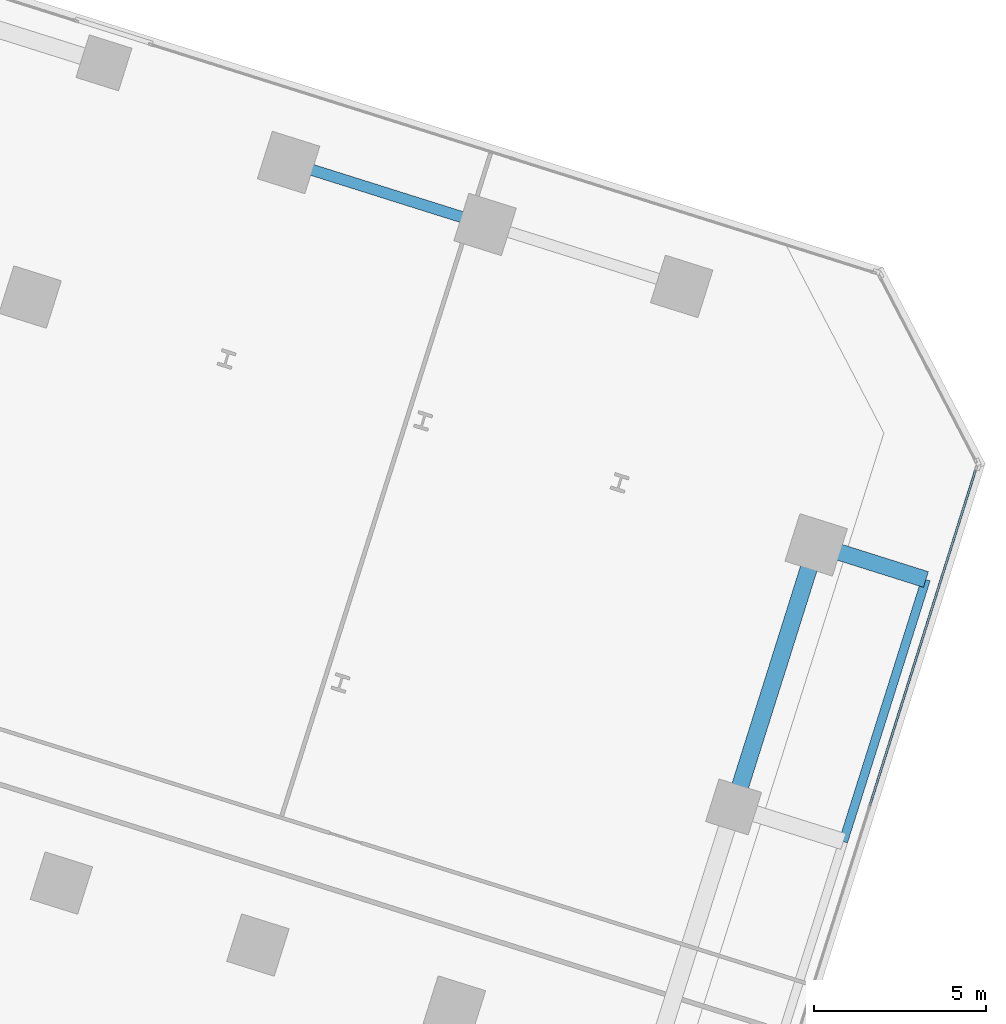
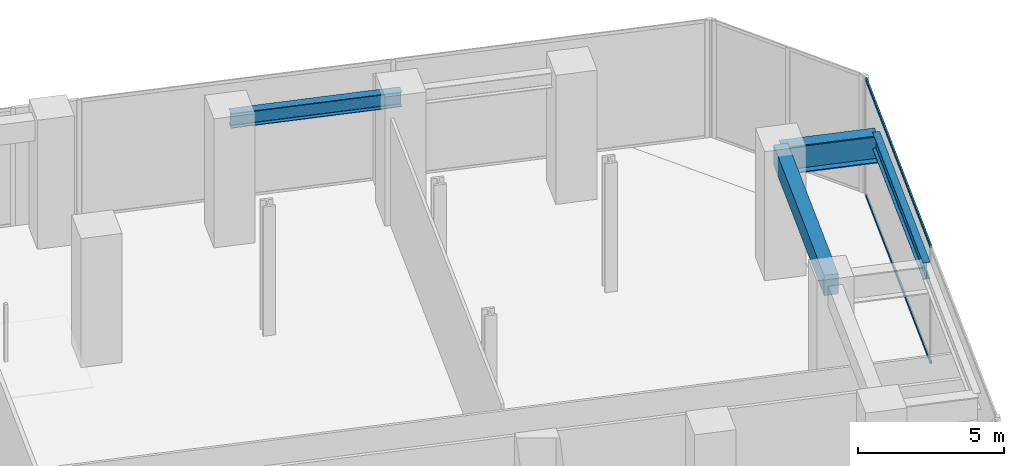
# One storey, part 10 of 28: 4 beams, 2 members, 1 element without a shape of its own.
"""IFC4 building model written with IfcOpenShell, lengths in metres."""

from ifc_helpers import new_model, si_unit, direction, frame, origin, origin_2d, place, context, subcontext, project, spatial, rectangle, hollow_rectangle, i_section, extrude, source, transform, mapped, material, material_profile, profile_set, type_object, element, aggregate, save


model = new_model("IFC4")

# Units and contexts
model_context = context("Model", 3, precision=1e-05, world=origin(), true_north=direction((0.0, 1.0)))
body_context = subcontext(model_context, "Body", "Model", "MODEL_VIEW")
ifc_project = project(units=[si_unit("LENGTHUNIT", "METRE"), si_unit("AREAUNIT", "SQUARE_METRE"), si_unit("VOLUMEUNIT", "CUBIC_METRE"), si_unit("PLANEANGLEUNIT", "RADIAN"), si_unit("MASSUNIT", "GRAM", prefix="KILO")], contexts=[model_context])

# Site, building, storey
site_placement = place(None, origin())
site = spatial("IfcSite", under=ifc_project, at=site_placement, CompositionType="ELEMENT")
building_placement = place(site_placement, origin())
building = spatial("IfcBuilding", under=site, at=building_placement, Name="Torre Montelarca", CompositionType="ELEMENT")
storey_placement = place(building_placement, frame((0.0, 0.0, 116.800048828125)))
storey = spatial("IfcBuildingStorey", under=building, at=storey_placement, Name="L26", CompositionType="ELEMENT", Elevation=116.800048828125)

# Beams
ifc_material_1 = material(Name="Steel ASTM A992 Grade 50", Category="steel")
ifc_material_profile_1 = material_profile(ifc_material_1, i_section(OverallWidth=0.326904296875, OverallDepth=0.6220703125, WebThickness=0.015380859375, FlangeThickness=0.0244140625, FilletRadius=0.014892578125, at=origin_2d()), Name="W610X195", Category="steel")
ifc_profile_set_1 = profile_set([ifc_material_profile_1], Name="Steel ASTM A992 Grade 50")
beam_type_1 = type_object("IfcBeamType", Name="BM-G-W610H", PredefinedType="BEAM", material=ifc_profile_set_1)
shared_shape_1 = source(origin(), body_context, "Body", "SweptSolid", [
    extrude(i_section(OverallWidth=0.326904296875, OverallDepth=0.6220703125, WebThickness=0.015380859375, FlangeThickness=0.0244140625, FilletRadius=0.014892578125, at=origin_2d()), origin(), (0.0, 0.0, 1.0), 6.0),
])
beam_1_placement = place(storey_placement, frame((45.260986328125, 39.1875, 4.808837890625), z_axis=(0.953720315082, -0.300695128993, 0.0), x_axis=(0.300695128993, 0.953720315082, 0.0)))
element("IfcBeam", 1, at=beam_1_placement, inside=storey, type_object=beam_type_1, Name="L26 Grid Girder X 42.0-48.0 at Y=46.0", PredefinedType="BEAM", context=body_context, shape_type="MappedRepresentation", body=[
    mapped(shared_shape_1, transform((0.0, 0.0, 0.0), scale=1.0)),
])
ifc_material_2 = material(Name="Concrete C55/67", Category="concrete")
ifc_material_profile_2 = material_profile(ifc_material_2, rectangle(XDim=0.5, YDim=0.85009765625, at=origin_2d()), Name="RCB500X850", Category="concrete")
ifc_profile_set_2 = profile_set([ifc_material_profile_2], Name="Concrete C55/67")
beam_type_2 = type_object("IfcBeamType", Name="BM-SP-RC850-EXT", PredefinedType="SPANDREL", material=ifc_profile_set_2)
shared_shape_2 = source(origin(), body_context, "Body", "SweptSolid", [
    extrude(rectangle(XDim=0.5, YDim=0.85009765625, at=origin_2d()), origin(), (0.0, 0.0, 1.0), 8.0),
])
beam_2_placement = place(storey_placement, frame((58.218017578125, 20.4228515625, 4.695068359375), z_axis=(0.300722386371, 0.953711720771, 0.0), x_axis=(-0.953711720771, 0.300722386371, 0.0)))
element("IfcBeam", 2, at=beam_2_placement, inside=storey, type_object=beam_type_2, Name="L26 Grid Girder Y 32.0-40.0 at X=60.0", PredefinedType="SPANDREL", context=body_context, shape_type="MappedRepresentation", body=[
    mapped(shared_shape_2, transform((0.0, 0.0, 0.0), scale=1.0)),
])
ifc_material_3 = material(Name="Steel ASTM A572 Grade 50", Category="steel")
ifc_material_profile_3 = material_profile(ifc_material_3, i_section(OverallWidth=0.47998046875, OverallDepth=1.14990234375, WebThickness=0.02197265625, FlangeThickness=0.044921875, at=origin_2d()), Name="PG1150X480X22X45", Category="steel")
ifc_profile_set_3 = profile_set([ifc_material_profile_3], Name="Steel ASTM A572 Grade 50")
beam_type_3 = type_object("IfcBeamType", Name="BM-CG-PG1400-EXT", PredefinedType="USERDEFINED", material=ifc_profile_set_3)
shared_shape_3 = source(origin(), body_context, "Body", "SweptSolid", [
    extrude(i_section(OverallWidth=0.47998046875, OverallDepth=1.14990234375, WebThickness=0.02197265625, FlangeThickness=0.044921875, at=origin_2d()), origin(), (0.0, 0.0, 1.0), 3.349853515625),
])
beam_3_placement = place(storey_placement, frame((60.623779296875, 28.052490234375, 4.544921875), z_axis=(0.95371694973, -0.300705802735, 0.0), x_axis=(0.300705802735, 0.95371694973, 0.0)))
element("IfcBeam", 3, at=beam_3_placement, inside=storey, type_object=beam_type_3, Name="L26 Sliding Tray Cantilever Girder East Y=40m (FLR)", ObjectType="CANTILEVER GIRDER", PredefinedType="USERDEFINED", context=body_context, shape_type="MappedRepresentation", body=[
    mapped(shared_shape_3, transform((0.0, 0.0, 0.0), scale=1.0)),
])
ifc_material_profile_4 = material_profile(ifc_material_1, i_section(OverallWidth=0.256103515625, OverallDepth=0.693115234375, WebThickness=0.014404296875, FlangeThickness=0.023681640625, FilletRadius=0.01806640625, at=origin_2d()), Name="W690X170", Category="steel")
ifc_profile_set_4 = profile_set([ifc_material_profile_4], Name="Steel ASTM A992 Grade 50")
beam_type_4 = type_object("IfcBeamType", Name="BM-G-W690-EXT", PredefinedType="BEAM", material=ifc_profile_set_4)
shared_shape_4 = source(origin(), body_context, "Body", "SweptSolid", [
    extrude(i_section(OverallWidth=0.256103515625, OverallDepth=0.693115234375, WebThickness=0.014404296875, FlangeThickness=0.023681640625, FilletRadius=0.01806640625, at=origin_2d()), origin(), (0.0, 0.0, 1.0), 7.999755859375),
])
beam_4_placement = place(storey_placement, frame((61.4130859375, 19.41552734375, 4.77392578125), z_axis=(0.300694628035, 0.953720473027, 0.0), x_axis=(-0.953720473027, 0.300694628035, 0.0)))
element("IfcBeam", 4, at=beam_4_placement, inside=storey, type_object=beam_type_4, Name="L26 Sliding Tray Edge Girder East 32-40m (FLR)", PredefinedType="BEAM", context=body_context, shape_type="MappedRepresentation", body=[
    mapped(shared_shape_4, transform((0.0, 0.0, 0.0), scale=1.0)),
])

# Curtain wall, members
ifc_material_4 = material(Name="Insulated low-E laminated glass", Category="glass")
curtain_wall_type = type_object("IfcCurtainWallType", Name="CW-SYS-Z1", PredefinedType="USERDEFINED", material=ifc_material_4)
curtain_wall_placement = place(storey_placement, origin())
curtain_wall = element("IfcCurtainWall", 5, at=curtain_wall_placement, inside=storey, type_object=curtain_wall_type, Name="L26 Curtain Wall Run CW-T3-L26-E06-B1", ObjectType="UNITISED GLAZING", PredefinedType="USERDEFINED")
ifc_material_5 = material(Name="Anodised aluminium AA 6063-T6", Category="aluminium")
ifc_material_profile_5 = material_profile(ifc_material_5, hollow_rectangle(XDim=0.06494140625, YDim=0.139892578125, WallThickness=0.00390625, InnerFilletRadius=0.00390625, OuterFilletRadius=0.008056640625, at=origin_2d()), Name="ALU65X140X4", Category="aluminium")
ifc_profile_set_5 = profile_set([ifc_material_profile_5], Name="Anodised aluminium AA 6063-T6")
member_type = type_object("IfcMemberType", Name="CWT-ALU140", PredefinedType="USERDEFINED", material=ifc_profile_set_5)
shared_shape_5 = source(origin(), body_context, "Body", "SweptSolid", [
    extrude(hollow_rectangle(XDim=0.06494140625, YDim=0.139892578125, WallThickness=0.00390625, InnerFilletRadius=0.00390625, OuterFilletRadius=0.008056640625, at=origin_2d()), origin(), (0.0, 0.0, 1.0), 10.236572265625),
])
member_1_placement = place(storey_placement, frame((62.184326171875, 20.464599609375, 0.032470703125), z_axis=(0.300695315947, 0.953720256138, 0.0), x_axis=(-0.953720256138, 0.300695315947, 0.0)))
member_1 = element("IfcMember", 6, at=member_1_placement, type_object=member_type, Name="CW transom 2.1", ObjectType="TRANSOM", PredefinedType="USERDEFINED", context=body_context, shape_type="MappedRepresentation", body=[
    mapped(shared_shape_5, transform((0.0, 0.0, 0.0), scale=1.0)),
])
member_2_placement = place(storey_placement, frame((62.184326171875, 20.464599609375, 4.887451171875), z_axis=(0.300695315947, 0.953720256138, 0.0), x_axis=(-0.953720256138, 0.300695315947, 0.0)))
member_2 = element("IfcMember", 7, at=member_2_placement, type_object=member_type, Name="CW transom 2.2", ObjectType="TRANSOM", PredefinedType="USERDEFINED", context=body_context, shape_type="MappedRepresentation", body=[
    mapped(shared_shape_5, transform((0.0, 0.0, 0.0), scale=1.0)),
])
aggregate(curtain_wall, [member_1, member_2])

save(model, "model.ifc")
